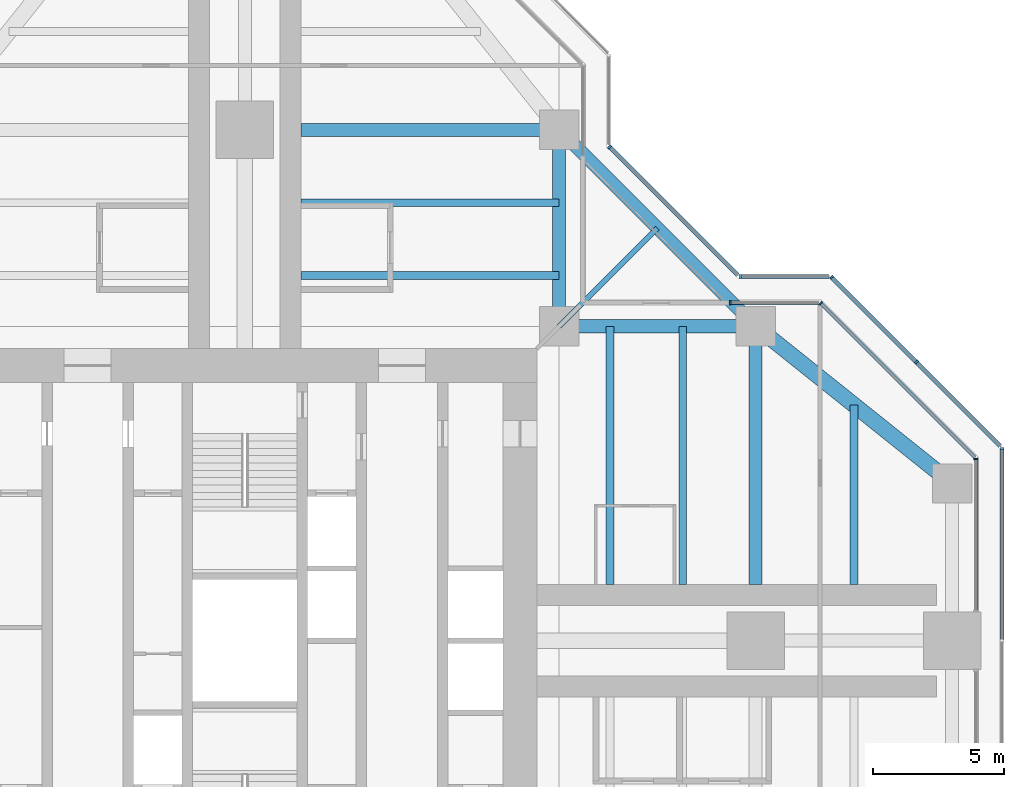
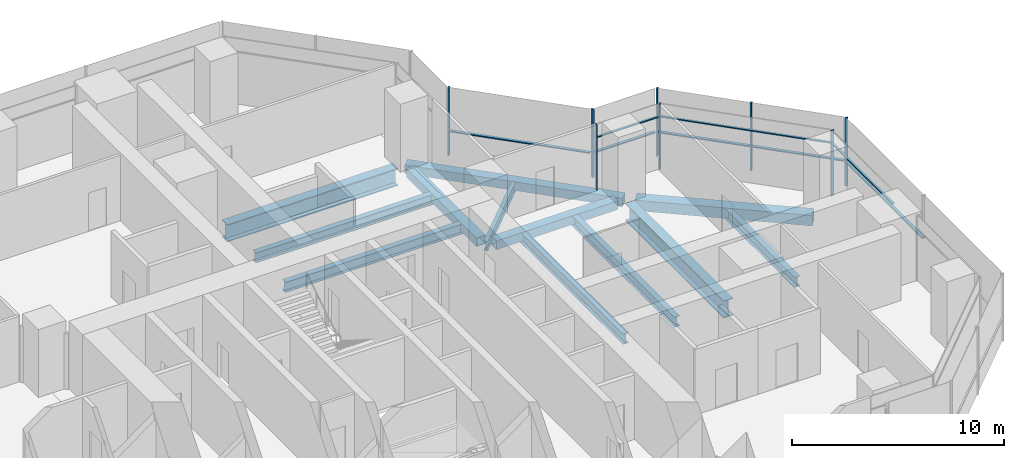
# One storey, part 8 of 17: 16 members, 12 beams, 7 elements without a shape of their own.
"""IFC4 building model written with IfcOpenShell, lengths in metres."""

import ifcopenshell
import ifcopenshell.guid

model = None  # the IFC model being written
_history = None  # IfcOwnerHistory: only IFC2X3 demands one
_inside = {}  # id of a spatial element -> (the spatial element, [elements in it])
_under = {}  # id of a project, library or spatial element -> (it, [spatial elements below it])
_declared = {}  # id of a project -> (the project, [libraries it declares])
_typed = {}  # id of a type object -> (the type object, [elements of that type])
_made_of = {}  # id of a material, layer set ... -> (it, [elements and type objects made of it])


def new_model(schema):
    """Start an empty IFC model of exactly this schema.

    Asked for "IFC4X3", IfcOpenShell would pick the latest addendum, in which some entities
    have other attributes; the version numbers below select the first issue.
    IFC2X3 requires an IfcOwnerHistory on every rooted entity: one is made here for all.
    """
    global model, _history
    if schema == "IFC4X3":
        model = ifcopenshell.file(schema_version=(4, 3, 0, 0))
    else:
        model = ifcopenshell.file(schema=schema)
    _inside.clear()
    _under.clear()
    _declared.clear()
    _typed.clear()
    _made_of.clear()
    _history = None
    if model.schema == "IFC2X3":
        org = make("IfcOrganization", Name="unknown")
        user = make(
            "IfcPersonAndOrganization",
            ThePerson=make("IfcPerson", FamilyName="unknown"),
            TheOrganization=org,
        )
        app = make(
            "IfcApplication",
            ApplicationDeveloper=org,
            Version="unknown",
            ApplicationFullName="unknown",
            ApplicationIdentifier="unknown",
        )
        _history = make(
            "IfcOwnerHistory",
            OwningUser=user,
            OwningApplication=app,
            ChangeAction="ADDED",
            CreationDate=0,
        )
    return model


def make(cls, **values):
    """One entity of the class cls with the attributes given. An attribute that is None is left unset."""
    return model.create_entity(
        cls, **{name: value for name, value in values.items() if value is not None}
    )


def rooted(cls, **values):
    """An entity with a GlobalId (a new one), such as an element, a storey or a relation."""
    return make(cls, GlobalId=ifcopenshell.guid.new(), OwnerHistory=_history, **values)


def si_unit(unit_type, name, prefix=None):
    """IfcSIUnit, for example si_unit("LENGTHUNIT", "METRE", prefix="MILLI")."""
    return make("IfcSIUnit", UnitType=unit_type, Prefix=prefix, Name=name)


def assignment(units):
    """IfcUnitAssignment: the units of a project."""
    return None if units is None else make("IfcUnitAssignment", Units=units)


def point(xyz):
    """IfcCartesianPoint."""
    return None if xyz is None else make("IfcCartesianPoint", Coordinates=xyz)


def direction(xyz):
    """IfcDirection."""
    return None if xyz is None else make("IfcDirection", DirectionRatios=xyz)


def frame(location, z_axis=None, x_axis=None):
    """IfcAxis2Placement3D, a coordinate frame: its origin and axes. An axis left out is left unset."""
    return make(
        "IfcAxis2Placement3D",
        Location=point(location),
        Axis=direction(z_axis),
        RefDirection=direction(x_axis),
    )


def frame_2d(location, x_axis=None):
    """IfcAxis2Placement2D, a coordinate frame in the plane: its origin and x axis."""
    return make(
        "IfcAxis2Placement2D", Location=point(location), RefDirection=direction(x_axis)
    )


def origin():
    """The frame at (0, 0, 0) with its axes left unset."""
    return frame((0.0, 0.0, 0.0))


def origin_2d():
    """The frame at (0, 0) in the plane with its x axis left unset."""
    return frame_2d((0.0, 0.0))


def place(relative_to, where):
    """IfcLocalPlacement: puts the frame where relative to a parent placement (None: the world)."""
    return make(
        "IfcLocalPlacement", PlacementRelTo=relative_to, RelativePlacement=where
    )


def context(
    kind, dimensions, precision=None, world=None, true_north=None, identifier=None
):
    """IfcGeometricRepresentationContext, for example the 3D "Model" context."""
    return make(
        "IfcGeometricRepresentationContext",
        ContextIdentifier=identifier,
        ContextType=kind,
        CoordinateSpaceDimension=dimensions,
        Precision=precision,
        WorldCoordinateSystem=world,
        TrueNorth=true_north,
    )


def subcontext(parent, identifier, kind, view, scale=None):
    """IfcGeometricRepresentationSubContext, for example "Body" below "Model"."""
    return make(
        "IfcGeometricRepresentationSubContext",
        ContextIdentifier=identifier,
        ContextType=kind,
        ParentContext=parent,
        TargetScale=scale,
        TargetView=view,
    )


def project(units=None, contexts=None):
    """IfcProject with its units and contexts."""
    return rooted(
        "IfcProject",
        Name="project",
        RepresentationContexts=contexts,
        UnitsInContext=assignment(units),
    )


def spatial(cls, under=None, at=None, **own):
    """A site, building, storey or space (cls), placed at a placement, below another one or the project."""
    s = rooted(cls, ObjectPlacement=at, **own)
    if under is not None:
        _under.setdefault(under.id(), (under, []))[1].append(s)
    return s


def profile(cls, at=None, kind="AREA", **sizes):
    """A parametric profile (cls). Its sizes go by their IFC names, for example OverallWidth=200.0."""
    return make(cls, ProfileType=kind, Position=at, **sizes)


def rectangle(**sizes):
    """IfcRectangleProfileDef."""
    return profile("IfcRectangleProfileDef", **sizes)


def hollow_rectangle(**sizes):
    """IfcRectangleHollowProfileDef."""
    return profile("IfcRectangleHollowProfileDef", **sizes)


def i_section(**sizes):
    """IfcIShapeProfileDef."""
    return profile("IfcIShapeProfileDef", **sizes)


def extrude(swept, where, along, depth):
    """IfcExtrudedAreaSolid: the profile swept, set in the frame where, extruded along a direction by depth."""
    return make(
        "IfcExtrudedAreaSolid",
        SweptArea=swept,
        Position=where,
        ExtrudedDirection=direction(along),
        Depth=depth,
    )


def shape(context_of_items, identifier, shape_type, items):
    """IfcShapeRepresentation: the items that make up one representation, for example the "Body"."""
    return make(
        "IfcShapeRepresentation",
        ContextOfItems=context_of_items,
        RepresentationIdentifier=identifier,
        RepresentationType=shape_type,
        Items=items,
    )


def material(Name=None, Category=None):
    """IfcMaterial."""
    return make("IfcMaterial", Name=Name, Category=Category)


def material_profile(
    of_material, cross_section, Name=None, Category=None, Priority=None
):
    """IfcMaterialProfile: a cross section and its material."""
    return make(
        "IfcMaterialProfile",
        Name=Name,
        Material=of_material,
        Profile=cross_section,
        Priority=Priority,
        Category=Category,
    )


def profile_set(profiles, Name=None, composite=None):
    """IfcMaterialProfileSet."""
    return make(
        "IfcMaterialProfileSet",
        Name=Name,
        MaterialProfiles=profiles,
        CompositeProfile=composite,
    )


def made_of(thing, what):
    """Note that an element or type object is made of a material, layer set ...; save() writes the relation."""
    if what is not None:
        _made_of.setdefault(what.id(), (what, []))[1].append(thing)
    return thing


def type_object(cls, material=None, **own):
    """A type object (cls), such as IfcWallType, which elements share."""
    return made_of(rooted(cls, **own), material)


def element(
    cls,
    number,
    at=None,
    inside=None,
    cuts=None,
    type_object=None,
    material=None,
    context=None,
    identifier="Body",
    shape_type=None,
    held_by="IfcProductDefinitionShape",
    body=None,
    shapes=None,
    **own,
):
    """One element of the class cls, such as IfcWall. Its Tag is "e" and its number.

    at: its placement. inside: the storey or other place that contains it. cuts: it is an
    opening in that element (IfcRelVoidsElement). A single representation is given by context,
    identifier, shape_type and body (its items); several are given by shapes. held_by: the class
    of the entity that holds the representations. save() writes the other relations.
    """
    e = rooted(cls, Tag="e%d" % number, ObjectPlacement=at, **own)
    if body is not None:
        shapes = [shape(context, identifier, shape_type, body)]
    if shapes is not None:
        e.Representation = make(held_by, Representations=shapes)
    if inside is not None:
        _inside.setdefault(inside.id(), (inside, []))[1].append(e)
    if cuts is not None:
        rooted(
            "IfcRelVoidsElement", RelatingBuildingElement=cuts, RelatedOpeningElement=e
        )
    if type_object is not None:
        _typed.setdefault(type_object.id(), (type_object, []))[1].append(e)
    return made_of(e, material)


def aggregate(whole, parts):
    """IfcRelAggregates: a whole, such as a stair, and the parts it consists of."""
    return rooted("IfcRelAggregates", RelatingObject=whole, RelatedObjects=parts)


def save(model, path):
    """Write the relations noted so far, then the file.

    IfcRelAggregates (storeys below a building ...), IfcRelContainedInSpatialStructure (elements
    in a storey), IfcRelDefinesByType, IfcRelAssociatesMaterial and IfcRelDeclares: one each for
    every whole, place, type object, material and project.
    """
    for whole, parts in _under.values():
        aggregate(whole, parts)
    for where, things in _inside.values():
        rooted(
            "IfcRelContainedInSpatialStructure",
            RelatedElements=things,
            RelatingStructure=where,
        )
    for kind, things in _typed.values():
        rooted("IfcRelDefinesByType", RelatedObjects=things, RelatingType=kind)
    for what, things in _made_of.values():
        rooted("IfcRelAssociatesMaterial", RelatedObjects=things, RelatingMaterial=what)
    for by, libraries in _declared.values():
        rooted("IfcRelDeclares", RelatingContext=by, RelatedDefinitions=libraries)
    model.write(path)


model = new_model("IFC4")

# Units and contexts
model_context = context("Model", 3, precision=1e-05, world=origin(), true_north=direction((0.0, 1.0)))
body_context = subcontext(model_context, "Body", "Model", "MODEL_VIEW")
ifc_project = project(units=[si_unit("LENGTHUNIT", "METRE"), si_unit("AREAUNIT", "SQUARE_METRE"), si_unit("VOLUMEUNIT", "CUBIC_METRE"), si_unit("PLANEANGLEUNIT", "RADIAN"), si_unit("MASSUNIT", "GRAM", prefix="KILO")], contexts=[model_context])

# Site, building, storey
site_placement = place(None, origin())
site = spatial("IfcSite", under=ifc_project, at=site_placement, CompositionType="ELEMENT")
building_placement = place(site_placement, origin())
building = spatial("IfcBuilding", under=site, at=building_placement, Name="Mizan Broadcast Tower", CompositionType="ELEMENT")
storey_placement = place(building_placement, frame((0.0, 0.0, 232.199951171875)))
storey = spatial("IfcBuildingStorey", under=building, at=storey_placement, Name="L54", CompositionType="ELEMENT", Elevation=232.199951171875)

# Beams
ifc_material_1 = material(Name="Steel S355", Category="steel")
ifc_material_profile_1 = material_profile(ifc_material_1, hollow_rectangle(XDim=0.5, YDim=0.5, WallThickness=0.030029296875, at=origin_2d()), Name="BOX 500x500x30")
ifc_profile_set_1 = profile_set([ifc_material_profile_1], Name="Steel S355")
beam_type_1 = type_object("IfcBeamType", Name="EDGE BEAM BOX 500x500x30", PredefinedType="SPANDREL", material=ifc_profile_set_1)
for number, where, z_axis, x_axis, name in (
    (1, (12.449951171875, 12.0, -0.3798828125), (1.0, 0.0, 0.0), (0.0, 1.0, 0.0), "Edge beam BOX 500x500x30 L54 east arm"),
    (2, (12.0, 12.449951171875, -0.3798828125), (0.0, 1.0, 0.0), (-1.0, 0.0, 0.0), "Edge beam BOX 500x500x30 L54 north arm"),
):
    element("IfcBeam", number, at=place(storey_placement, frame(where, z_axis=z_axis, x_axis=x_axis)), inside=storey, type_object=beam_type_1, Name=name, PredefinedType="SPANDREL", context=body_context, shape_type="SweptSolid", body=[
        extrude(hollow_rectangle(XDim=0.5, YDim=0.5, WallThickness=0.030029296875, at=origin_2d()), origin(), (0.0, 0.0, 1.0), 6.60009765625),
    ])
beam_1_placement = place(storey_placement, frame((19.5, 12.0, -0.3798828125), z_axis=(-0.707106781187, 0.707106781187, 0.0), x_axis=(-0.707106781187, -0.707106781187, 0.0)))
element("IfcBeam", 3, at=beam_1_placement, inside=storey, type_object=beam_type_1, Name="Winter garden edge beam L54 E", PredefinedType="SPANDREL", context=body_context, shape_type="SweptSolid", body=[
    extrude(hollow_rectangle(XDim=0.5, YDim=0.5, WallThickness=0.030029296875, at=origin_2d()), origin(), (0.0, 0.0, 1.0), 10.606689453125),
])
ifc_material_2 = material(Name="Steel S355", Category="steel")
ifc_material_profile_2 = material_profile(ifc_material_2, hollow_rectangle(XDim=0.60009765625, YDim=0.60009765625, WallThickness=0.030029296875, at=origin_2d()), Name="BOX 600x600x30")
ifc_profile_set_2 = profile_set([ifc_material_profile_2], Name="Steel S355")
beam_type_2 = type_object("IfcBeamType", Name="EDGE BEAM BOX 600x600x30", PredefinedType="SPANDREL", material=ifc_profile_set_2)
beam_2_placement = place(storey_placement, frame((19.949951171875, 11.639892578125, -0.429931640625), z_axis=(0.780885717636, -0.624673911726, 0.0), x_axis=(0.624673911726, 0.780885717636, 0.0)))
element("IfcBeam", 4, at=beam_2_placement, inside=storey, type_object=beam_type_2, Name="Edge beam BOX 600x600x30 L54 east arm", PredefinedType="SPANDREL", context=body_context, shape_type="SweptSolid", body=[
    extrude(hollow_rectangle(XDim=0.60009765625, YDim=0.60009765625, WallThickness=0.030029296875, at=origin_2d()), origin(), (0.0, 0.0, 1.0), 8.4521484375),
])
ifc_material_3 = material(Name="Steel S460", Category="steel")
ifc_material_profile_3 = material_profile(ifc_material_3, i_section(OverallWidth=0.5, OverallDepth=1.0, WebThickness=0.02490234375, FlangeThickness=0.050048828125, at=origin_2d()), Name="WPG 1000x500")
ifc_profile_set_3 = profile_set([ifc_material_profile_3], Name="Steel S460")
beam_type_3 = type_object("IfcBeamType", Name="GIRDER WPG 1000x500", PredefinedType="BEAM", material=ifc_profile_set_3)
for number, where, z_axis, x_axis, name in (
    (5, (19.5, 11.408935546875, -0.6298828125), (0.0, -1.0, 0.0), (1.0, 0.0, 0.0), "Girder WPG 1000x500 L54 east arm"),
    (6, (11.408935546875, 19.5, -0.6298828125), (-1.0, 0.0, 0.0), (0.0, -1.0, 0.0), "Girder WPG 1000x500 L54 north arm"),
):
    element("IfcBeam", number, at=place(storey_placement, frame(where, z_axis=z_axis, x_axis=x_axis)), inside=storey, type_object=beam_type_3, Name=name, PredefinedType="BEAM", context=body_context, shape_type="SweptSolid", body=[
        extrude(i_section(OverallWidth=0.5, OverallDepth=1.0, WebThickness=0.02490234375, FlangeThickness=0.050048828125, at=origin_2d()), origin(), (0.0, 0.0, 1.0), 9.259033203125),
    ])

# Curtain wall, member
ifc_material_4 = material(Name="Aluminium framed glazing", Category="aluminium")
curtain_wall_type_1 = type_object("IfcCurtainWallType", Name="INNER SKIN HIGH ZONE", PredefinedType="USERDEFINED", material=ifc_material_4)
curtain_wall_1_placement = place(storey_placement, origin())
curtain_wall_1 = element("IfcCurtainWall", 7, at=curtain_wall_1_placement, inside=storey, type_object=curtain_wall_type_1, Name="Inner skin high zone L54 E end", ObjectType="INNER SKIN HIGH ZONE", PredefinedType="USERDEFINED")
ifc_material_5 = material(Name="Aluminium, pale anodised", Category="aluminium")
ifc_material_profile_4 = material_profile(ifc_material_5, rectangle(XDim=0.159912109375, YDim=0.06005859375, at=origin_2d()), Name="MULLION 160x60")
ifc_profile_set_4 = profile_set([ifc_material_profile_4], Name="Aluminium, pale anodised")
member_type_1 = type_object("IfcMemberType", Name="INNER SKIN MULLION 60x160", PredefinedType="MULLION", material=ifc_profile_set_4)
member_1_placement = place(storey_placement, frame((27.89990234375, 6.928466796875, 0.0), z_axis=(0.0, 0.0, 1.0), x_axis=(-1.0, 0.0, 0.0)))
member_1 = element("IfcMember", 8, at=member_1_placement, type_object=member_type_1, Name="Inner skin high zone L54 E end mullion 2", PredefinedType="MULLION", context=body_context, shape_type="SweptSolid", body=[
    extrude(rectangle(XDim=0.159912109375, YDim=0.06005859375, at=origin_2d()), origin(), (0.0, 0.0, 1.0), 3.77001953125),
])

curtain_wall_2_placement = place(storey_placement, origin())
curtain_wall_2 = element("IfcCurtainWall", 9, at=curtain_wall_2_placement, inside=storey, type_object=curtain_wall_type_1, Name="Inner skin high zone L54 E chamfer", ObjectType="INNER SKIN HIGH ZONE", PredefinedType="USERDEFINED")
member_2_placement = place(storey_placement, frame((21.979736328125, 12.87890625, 0.0), z_axis=(0.0, 0.0, 1.0), x_axis=(-0.707106781187, -0.707106781187, 0.0)))
member_2 = element("IfcMember", 10, at=member_2_placement, type_object=member_type_1, Name="Inner skin high zone L54 E chamfer mullion 2", PredefinedType="MULLION", context=body_context, shape_type="SweptSolid", body=[
    extrude(rectangle(XDim=0.159912109375, YDim=0.06005859375, at=origin_2d()), origin(), (0.0, 0.0, 1.0), 3.77001953125),
])

curtain_wall_3_placement = place(storey_placement, origin())
curtain_wall_3 = element("IfcCurtainWall", 11, at=curtain_wall_3_placement, inside=storey, type_object=curtain_wall_type_1, Name="Inner skin high zone L54 E side", ObjectType="INNER SKIN HIGH ZONE", PredefinedType="USERDEFINED")
member_3_placement = place(storey_placement, frame((18.530029296875, 12.89990234375, 0.0), z_axis=(0.0, 0.0, 1.0), x_axis=(0.0, -1.0, 0.0)))
member_3 = element("IfcMember", 12, at=member_3_placement, type_object=member_type_1, Name="Inner skin high zone L54 E side mullion 2", PredefinedType="MULLION", context=body_context, shape_type="SweptSolid", body=[
    extrude(rectangle(XDim=0.159912109375, YDim=0.06005859375, at=origin_2d()), origin(), (0.0, 0.0, 1.0), 3.77001953125),
])

# Member
ifc_material_6 = material(Name="Aluminium, pale anodised", Category="aluminium")
ifc_material_profile_5 = material_profile(ifc_material_6, rectangle(XDim=0.1201171875, YDim=0.06005859375, at=origin_2d()), Name="TRANSOM 120x60")
ifc_profile_set_5 = profile_set([ifc_material_profile_5], Name="Aluminium, pale anodised")
member_type_2 = type_object("IfcMemberType", Name="INNER SKIN TRANSOM 60x120", PredefinedType="USERDEFINED", material=ifc_profile_set_5)
member_4_placement = place(storey_placement, frame((27.89990234375, 1.159912109375, 3.030029296875), z_axis=(0.0, 1.0, 0.0), x_axis=(-1.0, 0.0, 0.0)))
member_4 = element("IfcMember", 13, at=member_4_placement, type_object=member_type_2, Name="Inner skin high zone L54 E end transom 1.1", ObjectType="TRANSOM", PredefinedType="USERDEFINED", context=body_context, shape_type="SweptSolid", body=[
    extrude(rectangle(XDim=0.1201171875, YDim=0.06005859375, at=origin_2d()), origin(), (0.0, 0.0, 1.0), 5.73876953125),
])

aggregate(curtain_wall_1, [member_1, member_4])

member_5_placement = place(storey_placement, frame((27.857666015625, 7.0009765625, 3.030029296875), z_axis=(-0.707106781187, 0.707106781187, 0.0), x_axis=(-0.707106781187, -0.707106781187, 0.0)))
member_5 = element("IfcMember", 14, at=member_5_placement, type_object=member_type_2, Name="Inner skin high zone L54 E chamfer transom 1.1", ObjectType="TRANSOM", PredefinedType="USERDEFINED", context=body_context, shape_type="SweptSolid", body=[
    extrude(rectangle(XDim=0.1201171875, YDim=0.06005859375, at=origin_2d()), origin(), (0.0, 0.0, 1.0), 8.28271484375),
])

aggregate(curtain_wall_2, [member_2, member_5])

member_6_placement = place(storey_placement, frame((21.898681640625, 12.89990234375, 3.030029296875), z_axis=(-1.0, 0.0, 0.0), x_axis=(0.0, -1.0, 0.0)))
member_6 = element("IfcMember", 15, at=member_6_placement, type_object=member_type_2, Name="Inner skin high zone L54 E side transom 1.1", ObjectType="TRANSOM", PredefinedType="USERDEFINED", context=body_context, shape_type="SweptSolid", body=[
    extrude(rectangle(XDim=0.1201171875, YDim=0.06005859375, at=origin_2d()), origin(), (0.0, 0.0, 1.0), 3.338623046875),
])

aggregate(curtain_wall_3, [member_3, member_6])

# Curtain wall, member
ifc_material_7 = material(Name="Aluminium framed glazing", Category="aluminium")
curtain_wall_type_2 = type_object("IfcCurtainWallType", Name="OUTER SKIN", PredefinedType="USERDEFINED", material=ifc_material_7)
curtain_wall_4_placement = place(storey_placement, origin())
curtain_wall_4 = element("IfcCurtainWall", 16, at=curtain_wall_4_placement, inside=storey, type_object=curtain_wall_type_2, Name="Outer skin L54 E end", ObjectType="OUTER SKIN", PredefinedType="USERDEFINED")
ifc_material_8 = material(Name="Aluminium, pale anodised", Category="aluminium")
ifc_material_profile_6 = material_profile(ifc_material_8, rectangle(XDim=0.159912109375, YDim=0.080078125, at=origin_2d()), Name="MULLION 160x80")
ifc_profile_set_6 = profile_set([ifc_material_profile_6], Name="Aluminium, pale anodised")
member_type_3 = type_object("IfcMemberType", Name="OUTER SKIN MULLION 80x160", PredefinedType="MULLION", material=ifc_profile_set_6)
member_7_placement = place(storey_placement, frame((28.89990234375, 7.332763671875, 0.0), z_axis=(0.0, 0.0, 1.0), x_axis=(-1.0, 0.0, 0.0)))
member_7 = element("IfcMember", 17, at=member_7_placement, type_object=member_type_3, Name="Outer skin L54 E end mullion 3", PredefinedType="MULLION", context=body_context, shape_type="SweptSolid", body=[
    extrude(rectangle(XDim=0.159912109375, YDim=0.080078125, at=origin_2d()), origin(), (0.0, 0.0, 1.0), 3.900146484375),
])

# Curtain wall, members
curtain_wall_5_placement = place(storey_placement, origin())
curtain_wall_5 = element("IfcCurtainWall", 18, at=curtain_wall_5_placement, inside=storey, type_object=curtain_wall_type_2, Name="Outer skin L54 E chamfer", ObjectType="OUTER SKIN", PredefinedType="USERDEFINED")
member_8_placement = place(storey_placement, frame((25.636474609375, 10.636474609375, 0.0), z_axis=(0.0, 0.0, 1.0), x_axis=(-0.707106781187, -0.707106781187, 0.0)))
member_8 = element("IfcMember", 19, at=member_8_placement, type_object=member_type_3, Name="Outer skin L54 E chamfer mullion 2", PredefinedType="MULLION", context=body_context, shape_type="SweptSolid", body=[
    extrude(rectangle(XDim=0.159912109375, YDim=0.080078125, at=origin_2d()), origin(), (0.0, 0.0, 1.0), 3.900146484375),
])
member_9_placement = place(storey_placement, frame((22.401123046875, 13.871826171875, 0.0), z_axis=(0.0, 0.0, 1.0), x_axis=(-0.707106781187, -0.707106781187, 0.0)))
member_9 = element("IfcMember", 20, at=member_9_placement, type_object=member_type_3, Name="Outer skin L54 E chamfer mullion 3", PredefinedType="MULLION", context=body_context, shape_type="SweptSolid", body=[
    extrude(rectangle(XDim=0.159912109375, YDim=0.080078125, at=origin_2d()), origin(), (0.0, 0.0, 1.0), 3.900146484375),
])

# Curtain wall, member
curtain_wall_6_placement = place(storey_placement, origin())
curtain_wall_6 = element("IfcCurtainWall", 21, at=curtain_wall_6_placement, inside=storey, type_object=curtain_wall_type_2, Name="Outer skin L54 E side", ObjectType="OUTER SKIN", PredefinedType="USERDEFINED")
member_10_placement = place(storey_placement, frame((18.912841796875, 13.89990234375, 0.0), z_axis=(0.0, 0.0, 1.0), x_axis=(0.0, -1.0, 0.0)))
member_10 = element("IfcMember", 22, at=member_10_placement, type_object=member_type_3, Name="Outer skin L54 E side mullion 2", PredefinedType="MULLION", context=body_context, shape_type="SweptSolid", body=[
    extrude(rectangle(XDim=0.159912109375, YDim=0.080078125, at=origin_2d()), origin(), (0.0, 0.0, 1.0), 3.900146484375),
])

curtain_wall_7_placement = place(storey_placement, origin())
curtain_wall_7 = element("IfcCurtainWall", 23, at=curtain_wall_7_placement, inside=storey, type_object=curtain_wall_type_2, Name="Outer skin L54 E chamfer", ObjectType="OUTER SKIN", PredefinedType="USERDEFINED")
member_11_placement = place(storey_placement, frame((13.92822265625, 18.844482421875, 0.0), z_axis=(0.0, 0.0, 1.0), x_axis=(-0.707106781187, -0.707106781187, 0.0)))
member_11 = element("IfcMember", 24, at=member_11_placement, type_object=member_type_3, Name="Outer skin L54 E chamfer mullion 2", PredefinedType="MULLION", context=body_context, shape_type="SweptSolid", body=[
    extrude(rectangle(XDim=0.159912109375, YDim=0.080078125, at=origin_2d()), origin(), (0.0, 0.0, 1.0), 3.900146484375),
])

# Member
ifc_material_9 = material(Name="Aluminium, pale anodised", Category="aluminium")
ifc_material_profile_7 = material_profile(ifc_material_9, rectangle(XDim=0.159912109375, YDim=0.06005859375, at=origin_2d()), Name="TRANSOM 160x60")
ifc_profile_set_7 = profile_set([ifc_material_profile_7], Name="Aluminium, pale anodised")
member_type_4 = type_object("IfcMemberType", Name="OUTER SKIN TRANSOM 60x160", PredefinedType="USERDEFINED", material=ifc_profile_set_7)
member_12_placement = place(storey_placement, frame((28.89990234375, 0.0400390625, 1.400146484375), z_axis=(0.0, 1.0, 0.0), x_axis=(-1.0, 0.0, 0.0)))
member_12 = element("IfcMember", 25, at=member_12_placement, type_object=member_type_4, Name="Outer skin L54 E end transom 2.1", ObjectType="TRANSOM", PredefinedType="USERDEFINED", context=body_context, shape_type="SweptSolid", body=[
    extrude(rectangle(XDim=0.159912109375, YDim=0.06005859375, at=origin_2d()), origin(), (0.0, 0.0, 1.0), 7.252685546875),
])

aggregate(curtain_wall_4, [member_7, member_12])

member_13_placement = place(storey_placement, frame((28.843505859375, 7.429443359375, 1.400146484375), z_axis=(-0.707106781187, 0.707106781187, 0.0), x_axis=(-0.707106781187, -0.707106781187, 0.0)))
member_13 = element("IfcMember", 26, at=member_13_placement, type_object=member_type_4, Name="Outer skin L54 E chamfer transom 1.1", ObjectType="TRANSOM", PredefinedType="USERDEFINED", context=body_context, shape_type="SweptSolid", body=[
    extrude(rectangle(XDim=0.159912109375, YDim=0.06005859375, at=origin_2d()), origin(), (0.0, 0.0, 1.0), 4.495361328125),
])

member_14_placement = place(storey_placement, frame((25.608154296875, 10.664794921875, 1.400146484375), z_axis=(-0.707106781187, 0.707106781187, 0.0), x_axis=(-0.707106781187, -0.707106781187, 0.0)))
member_14 = element("IfcMember", 27, at=member_14_placement, type_object=member_type_4, Name="Outer skin L54 E chamfer transom 2.1", ObjectType="TRANSOM", PredefinedType="USERDEFINED", context=body_context, shape_type="SweptSolid", body=[
    extrude(rectangle(XDim=0.159912109375, YDim=0.06005859375, at=origin_2d()), origin(), (0.0, 0.0, 1.0), 4.495361328125),
])

aggregate(curtain_wall_5, [member_8, member_9, member_13, member_14])

member_15_placement = place(storey_placement, frame((22.292724609375, 13.89990234375, 1.400146484375), z_axis=(-1.0, 0.0, 0.0), x_axis=(0.0, -1.0, 0.0)))
member_15 = element("IfcMember", 28, at=member_15_placement, type_object=member_type_4, Name="Outer skin L54 E side transom 1.1", ObjectType="TRANSOM", PredefinedType="USERDEFINED", context=body_context, shape_type="SweptSolid", body=[
    extrude(rectangle(XDim=0.159912109375, YDim=0.06005859375, at=origin_2d()), origin(), (0.0, 0.0, 1.0), 3.33984375),
])

aggregate(curtain_wall_6, [member_10, member_15])

member_16_placement = place(storey_placement, frame((18.816162109375, 13.95654296875, 1.400146484375), z_axis=(-0.707106781187, 0.707106781187, 0.0), x_axis=(-0.707106781187, -0.707106781187, 0.0)))
member_16 = element("IfcMember", 29, at=member_16_placement, type_object=member_type_4, Name="Outer skin L54 E chamfer transom 1.1", ObjectType="TRANSOM", PredefinedType="USERDEFINED", context=body_context, shape_type="SweptSolid", body=[
    extrude(rectangle(XDim=0.159912109375, YDim=0.06005859375, at=origin_2d()), origin(), (0.0, 0.0, 1.0), 6.87255859375),
])

aggregate(curtain_wall_7, [member_11, member_16])

# Beams
ifc_material_10 = material(Name="Steel S355", Category="steel")
ifc_material_profile_8 = material_profile(ifc_material_10, i_section(OverallWidth=0.300048828125, OverallDepth=0.590087890625, WebThickness=0.012939453125, FlangeThickness=0.02490234375, FilletRadius=0.027099609375, at=origin_2d()), Name="HEA 600")
ifc_profile_set_8 = profile_set([ifc_material_profile_8], Name="Steel S355")
beam_type_4 = type_object("IfcBeamType", Name="SECONDARY BEAM HEA 600", PredefinedType="JOIST", material=ifc_profile_set_8)
for number, where, z_axis, x_axis, name in (
    (30, (13.933349609375, 12.0, -0.425048828125), (0.0, -1.0, 0.0), (1.0, 0.0, 0.0), "Secondary beam HEA 600 L54 east arm"),
    (31, (16.716552734375, 12.0, -0.425048828125), (0.0, -1.0, 0.0), (1.0, 0.0, 0.0), "Secondary beam HEA 600 L54 east arm"),
):
    element("IfcBeam", number, at=place(storey_placement, frame(where, z_axis=z_axis, x_axis=x_axis)), inside=storey, type_object=beam_type_4, Name=name, PredefinedType="JOIST", context=body_context, shape_type="SweptSolid", body=[
        extrude(i_section(OverallWidth=0.300048828125, OverallDepth=0.590087890625, WebThickness=0.012939453125, FlangeThickness=0.02490234375, FilletRadius=0.027099609375, at=origin_2d()), origin(), (0.0, 0.0, 1.0), 9.85009765625),
    ])
beam_3_placement = place(storey_placement, frame((23.25, 9.0, -0.425048828125), z_axis=(0.0, -1.0, 0.0), x_axis=(1.0, 0.0, 0.0)))
element("IfcBeam", 32, at=beam_3_placement, inside=storey, type_object=beam_type_4, Name="Secondary beam HEA 600 L54 east arm", PredefinedType="JOIST", context=body_context, shape_type="SweptSolid", body=[
    extrude(i_section(OverallWidth=0.300048828125, OverallDepth=0.590087890625, WebThickness=0.012939453125, FlangeThickness=0.02490234375, FilletRadius=0.027099609375, at=origin_2d()), origin(), (0.0, 0.0, 1.0), 6.85009765625),
])
for number, where, z_axis, x_axis, name in (
    (33, (12.0, 13.933349609375, -0.425048828125), (-1.0, 0.0, 0.0), (0.0, -1.0, 0.0), "Secondary beam HEA 600 L54 north arm"),
    (34, (12.0, 16.716552734375, -0.425048828125), (-1.0, 0.0, 0.0), (0.0, -1.0, 0.0), "Secondary beam HEA 600 L54 north arm"),
):
    element("IfcBeam", number, at=place(storey_placement, frame(where, z_axis=z_axis, x_axis=x_axis)), inside=storey, type_object=beam_type_4, Name=name, PredefinedType="JOIST", context=body_context, shape_type="SweptSolid", body=[
        extrude(i_section(OverallWidth=0.300048828125, OverallDepth=0.590087890625, WebThickness=0.012939453125, FlangeThickness=0.02490234375, FilletRadius=0.027099609375, at=origin_2d()), origin(), (0.0, 0.0, 1.0), 9.85009765625),
    ])
ifc_material_11 = material(Name="Steel S355", Category="steel")
ifc_material_profile_9 = material_profile(ifc_material_11, i_section(OverallWidth=0.2099609375, OverallDepth=0.550048828125, WebThickness=0.010986328125, FlangeThickness=0.01708984375, FilletRadius=0.02392578125, at=origin_2d()), Name="IPE 550")
ifc_profile_set_9 = profile_set([ifc_material_profile_9], Name="Steel S355")
beam_type_5 = type_object("IfcBeamType", Name="SECONDARY BEAM IPE 550", PredefinedType="JOIST", material=ifc_profile_set_9)
beam_4_placement = place(storey_placement, frame((12.0, 12.0, -0.405029296875), z_axis=(0.707106781187, 0.707106781187, 0.0), x_axis=(-0.707106781187, 0.707106781187, 0.0)))
element("IfcBeam", 35, at=beam_4_placement, inside=storey, type_object=beam_type_5, Name="Winter garden beam L54 E", PredefinedType="JOIST", context=body_context, shape_type="SweptSolid", body=[
    extrude(i_section(OverallWidth=0.2099609375, OverallDepth=0.550048828125, WebThickness=0.010986328125, FlangeThickness=0.01708984375, FilletRadius=0.02392578125, at=origin_2d()), origin(), (0.0, 0.0, 1.0), 5.30322265625),
])

save(model, "model.ifc")
